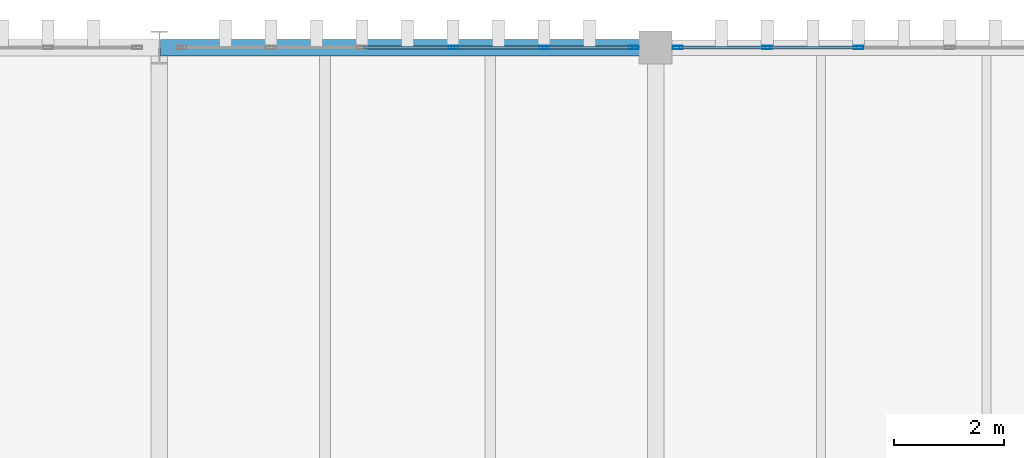
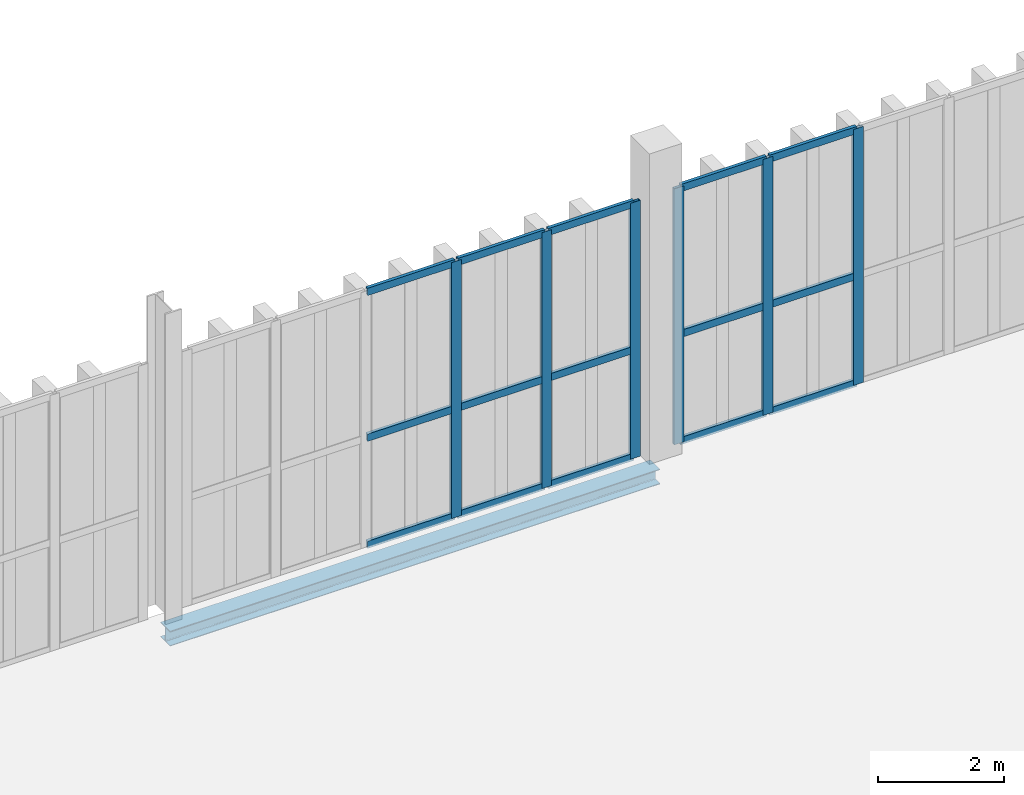
# One storey, part 147 of 211: 21 members, 1 beam, 2 elements without a shape of their own.
"""IFC4 building model written with IfcOpenShell, lengths in metres."""

from ifc_helpers import new_model, si_unit, direction, frame, origin, origin_2d, place, context, subcontext, project, spatial, hollow_rectangle, i_section, extrude, material, layer, layer_set, material_profile, profile_set, type_object, element, aggregate, save


model = new_model("IFC4")

# Units and contexts
model_context = context("Model", 3, precision=1e-05, world=origin(), true_north=direction((0.0, 1.0)))
body_context = subcontext(model_context, "Body", "Model", "MODEL_VIEW")
ifc_project = project(units=[si_unit("LENGTHUNIT", "METRE"), si_unit("AREAUNIT", "SQUARE_METRE"), si_unit("VOLUMEUNIT", "CUBIC_METRE"), si_unit("PLANEANGLEUNIT", "RADIAN"), si_unit("MASSUNIT", "GRAM", prefix="KILO")], contexts=[model_context])

# Site, building, storey
site_placement = place(None, origin())
site = spatial("IfcSite", under=ifc_project, at=site_placement, CompositionType="ELEMENT")
building_placement = place(site_placement, origin())
building = spatial("IfcBuilding", under=site, at=building_placement, Name="Barlavento Convention Centre", CompositionType="ELEMENT")
storey_placement = place(building_placement, frame((0.0, 0.0, 6.0)))
storey = spatial("IfcBuildingStorey", under=building, at=storey_placement, Name="L01", CompositionType="ELEMENT", Elevation=6.0)

# Curtain wall, members
ifc_material_1 = material(Name="Powder-coated aluminium and Low-E glass", Category="aluminium")
ifc_layer = layer(ifc_material_1, 0.179931640625)
ifc_layer_set = layer_set([ifc_layer], Name="ARC-CW-EXH-L01")
curtain_wall_type = type_object("IfcCurtainWallType", Name="ARC-CW-EXH-L01", PredefinedType="NOTDEFINED", material=ifc_layer_set)
curtain_wall_1_placement = place(storey_placement, origin())
curtain_wall_1 = element("IfcCurtainWall", 1, at=curtain_wall_1_placement, inside=storey, type_object=curtain_wall_type, Name="L01 unitised curtain wall CW04", PredefinedType="NOTDEFINED")
ifc_material_2 = material(Name="Powder-coated aluminium", Category="aluminium")
ifc_material_profile_1 = material_profile(ifc_material_2, hollow_rectangle(XDim=0.06005859375, YDim=0.179931640625, WallThickness=0.0048828125, at=origin_2d()), Name="AL-MULL 60x180x5")
ifc_profile_set_1 = profile_set([ifc_material_profile_1], Name="Powder-coated aluminium")
member_type_1 = type_object("IfcMemberType", Name="ARC-CWM-60X180", PredefinedType="MULLION", material=ifc_profile_set_1)
member_1_placement = place(storey_placement, frame((104.325927734375, 135.0, 0.0), z_axis=(0.0, 0.0, 1.0), x_axis=(0.0, 1.0, 0.0)))
member_1 = element("IfcMember", 2, at=member_1_placement, type_object=member_type_1, Name="CW04 mullion 4", PredefinedType="MULLION", context=body_context, shape_type="SweptSolid", body=[
    extrude(hollow_rectangle(XDim=0.06005859375, YDim=0.179931640625, WallThickness=0.0048828125, at=origin_2d()), origin(), (0.0, 0.0, 1.0), 4.949951171875),
])
member_2_placement = place(storey_placement, frame((105.97802734375, 135.0, 0.0), z_axis=(0.0, 0.0, 1.0), x_axis=(0.0, 1.0, 0.0)))
member_2 = element("IfcMember", 3, at=member_2_placement, type_object=member_type_1, Name="CW04 mullion 5", PredefinedType="MULLION", context=body_context, shape_type="SweptSolid", body=[
    extrude(hollow_rectangle(XDim=0.06005859375, YDim=0.179931640625, WallThickness=0.0048828125, at=origin_2d()), origin(), (0.0, 0.0, 1.0), 4.949951171875),
])
member_3_placement = place(storey_placement, frame((107.60009765625, 135.0, 0.0), z_axis=(0.0, 0.0, 1.0), x_axis=(0.0, 1.0, 0.0)))
member_3 = element("IfcMember", 4, at=member_3_placement, type_object=member_type_1, Name="CW04 mullion 6", PredefinedType="MULLION", context=body_context, shape_type="SweptSolid", body=[
    extrude(hollow_rectangle(XDim=0.06005859375, YDim=0.179931640625, WallThickness=0.0048828125, at=origin_2d()), origin(), (0.0, 0.0, 1.0), 4.949951171875),
])

curtain_wall_2_placement = place(storey_placement, origin())
curtain_wall_2 = element("IfcCurtainWall", 5, at=curtain_wall_2_placement, inside=storey, type_object=curtain_wall_type, Name="L01 unitised curtain wall CW04", PredefinedType="NOTDEFINED")
member_4_placement = place(storey_placement, frame((108.39990234375, 135.0, 0.0), z_axis=(0.0, 0.0, 1.0), x_axis=(0.0, 1.0, 0.0)))
member_4 = element("IfcMember", 6, at=member_4_placement, type_object=member_type_1, Name="CW04 mullion 1", PredefinedType="MULLION", context=body_context, shape_type="SweptSolid", body=[
    extrude(hollow_rectangle(XDim=0.06005859375, YDim=0.179931640625, WallThickness=0.0048828125, at=origin_2d()), origin(), (0.0, 0.0, 1.0), 4.949951171875),
])
member_5_placement = place(storey_placement, frame((110.02490234375, 135.0, 0.0), z_axis=(0.0, 0.0, 1.0), x_axis=(0.0, 1.0, 0.0)))
member_5 = element("IfcMember", 7, at=member_5_placement, type_object=member_type_1, Name="CW04 mullion 2", PredefinedType="MULLION", context=body_context, shape_type="SweptSolid", body=[
    extrude(hollow_rectangle(XDim=0.06005859375, YDim=0.179931640625, WallThickness=0.0048828125, at=origin_2d()), origin(), (0.0, 0.0, 1.0), 4.949951171875),
])
member_6_placement = place(storey_placement, frame((111.6796875, 135.0, 0.0), z_axis=(0.0, 0.0, 1.0), x_axis=(0.0, 1.0, 0.0)))
member_6 = element("IfcMember", 8, at=member_6_placement, type_object=member_type_1, Name="CW04 mullion 3", PredefinedType="MULLION", context=body_context, shape_type="SweptSolid", body=[
    extrude(hollow_rectangle(XDim=0.06005859375, YDim=0.179931640625, WallThickness=0.0048828125, at=origin_2d()), origin(), (0.0, 0.0, 1.0), 4.949951171875),
])

# Member
ifc_material_profile_2 = material_profile(ifc_material_2, hollow_rectangle(XDim=0.06005859375, YDim=0.139892578125, WallThickness=0.00390625, at=origin_2d()), Name="AL-TRAN 60x140x4")
ifc_profile_set_2 = profile_set([ifc_material_profile_2], Name="Powder-coated aluminium")
member_type_2 = type_object("IfcMemberType", Name="ARC-CWT-60X140", PredefinedType="USERDEFINED", material=ifc_profile_set_2)
member_7_placement = place(storey_placement, frame((102.7041015625, 135.0, 0.030029296875), z_axis=(1.0, 0.0, 0.0), x_axis=(0.0, 1.0, 0.0)))
member_7 = element("IfcMember", 9, at=member_7_placement, type_object=member_type_2, Name="CW04 transom 3.1", ObjectType="TRANSOM", PredefinedType="USERDEFINED", context=body_context, shape_type="SweptSolid", body=[
    extrude(hollow_rectangle(XDim=0.06005859375, YDim=0.139892578125, WallThickness=0.00390625, at=origin_2d()), origin(), (0.0, 0.0, 1.0), 1.591796875),
])

member_8_placement = place(storey_placement, frame((102.7041015625, 135.0, 2.10009765625), z_axis=(1.0, 0.0, 0.0), x_axis=(0.0, 1.0, 0.0)))
member_8 = element("IfcMember", 10, at=member_8_placement, type_object=member_type_2, Name="CW04 transom 3.2", ObjectType="TRANSOM", PredefinedType="USERDEFINED", context=body_context, shape_type="SweptSolid", body=[
    extrude(hollow_rectangle(XDim=0.06005859375, YDim=0.139892578125, WallThickness=0.00390625, at=origin_2d()), origin(), (0.0, 0.0, 1.0), 1.591796875),
])

member_9_placement = place(storey_placement, frame((102.7041015625, 135.0, 4.919921875), z_axis=(1.0, 0.0, 0.0), x_axis=(0.0, 1.0, 0.0)))
member_9 = element("IfcMember", 11, at=member_9_placement, type_object=member_type_2, Name="CW04 transom 3.3", ObjectType="TRANSOM", PredefinedType="USERDEFINED", context=body_context, shape_type="SweptSolid", body=[
    extrude(hollow_rectangle(XDim=0.06005859375, YDim=0.139892578125, WallThickness=0.00390625, at=origin_2d()), origin(), (0.0, 0.0, 1.0), 1.591796875),
])

member_10_placement = place(storey_placement, frame((104.35595703125, 135.0, 0.030029296875), z_axis=(1.0, 0.0, 0.0), x_axis=(0.0, 1.0, 0.0)))
member_10 = element("IfcMember", 12, at=member_10_placement, type_object=member_type_2, Name="CW04 transom 4.1", ObjectType="TRANSOM", PredefinedType="USERDEFINED", context=body_context, shape_type="SweptSolid", body=[
    extrude(hollow_rectangle(XDim=0.06005859375, YDim=0.139892578125, WallThickness=0.00390625, at=origin_2d()), origin(), (0.0, 0.0, 1.0), 1.592041015625),
])

member_11_placement = place(storey_placement, frame((104.35595703125, 135.0, 2.10009765625), z_axis=(1.0, 0.0, 0.0), x_axis=(0.0, 1.0, 0.0)))
member_11 = element("IfcMember", 13, at=member_11_placement, type_object=member_type_2, Name="CW04 transom 4.2", ObjectType="TRANSOM", PredefinedType="USERDEFINED", context=body_context, shape_type="SweptSolid", body=[
    extrude(hollow_rectangle(XDim=0.06005859375, YDim=0.139892578125, WallThickness=0.00390625, at=origin_2d()), origin(), (0.0, 0.0, 1.0), 1.592041015625),
])

member_12_placement = place(storey_placement, frame((104.35595703125, 135.0, 4.919921875), z_axis=(1.0, 0.0, 0.0), x_axis=(0.0, 1.0, 0.0)))
member_12 = element("IfcMember", 14, at=member_12_placement, type_object=member_type_2, Name="CW04 transom 4.3", ObjectType="TRANSOM", PredefinedType="USERDEFINED", context=body_context, shape_type="SweptSolid", body=[
    extrude(hollow_rectangle(XDim=0.06005859375, YDim=0.139892578125, WallThickness=0.00390625, at=origin_2d()), origin(), (0.0, 0.0, 1.0), 1.592041015625),
])

member_13_placement = place(storey_placement, frame((106.008056640625, 135.0, 0.030029296875), z_axis=(1.0, 0.0, 0.0), x_axis=(0.0, 1.0, 0.0)))
member_13 = element("IfcMember", 15, at=member_13_placement, type_object=member_type_2, Name="CW04 transom 5.1", ObjectType="TRANSOM", PredefinedType="USERDEFINED", context=body_context, shape_type="SweptSolid", body=[
    extrude(hollow_rectangle(XDim=0.06005859375, YDim=0.139892578125, WallThickness=0.00390625, at=origin_2d()), origin(), (0.0, 0.0, 1.0), 1.56201171875),
])

member_14_placement = place(storey_placement, frame((106.008056640625, 135.0, 2.10009765625), z_axis=(1.0, 0.0, 0.0), x_axis=(0.0, 1.0, 0.0)))
member_14 = element("IfcMember", 16, at=member_14_placement, type_object=member_type_2, Name="CW04 transom 5.2", ObjectType="TRANSOM", PredefinedType="USERDEFINED", context=body_context, shape_type="SweptSolid", body=[
    extrude(hollow_rectangle(XDim=0.06005859375, YDim=0.139892578125, WallThickness=0.00390625, at=origin_2d()), origin(), (0.0, 0.0, 1.0), 1.56201171875),
])

member_15_placement = place(storey_placement, frame((106.008056640625, 135.0, 4.919921875), z_axis=(1.0, 0.0, 0.0), x_axis=(0.0, 1.0, 0.0)))
member_15 = element("IfcMember", 17, at=member_15_placement, type_object=member_type_2, Name="CW04 transom 5.3", ObjectType="TRANSOM", PredefinedType="USERDEFINED", context=body_context, shape_type="SweptSolid", body=[
    extrude(hollow_rectangle(XDim=0.06005859375, YDim=0.139892578125, WallThickness=0.00390625, at=origin_2d()), origin(), (0.0, 0.0, 1.0), 1.56201171875),
])

aggregate(curtain_wall_1, [member_1, member_2, member_3, member_7, member_8, member_9, member_10, member_11, member_12, member_13, member_14, member_15])

member_16_placement = place(storey_placement, frame((108.429931640625, 135.0, 0.030029296875), z_axis=(1.0, 0.0, 0.0), x_axis=(0.0, 1.0, 0.0)))
member_16 = element("IfcMember", 18, at=member_16_placement, type_object=member_type_2, Name="CW04 transom 1.1", ObjectType="TRANSOM", PredefinedType="USERDEFINED", context=body_context, shape_type="SweptSolid", body=[
    extrude(hollow_rectangle(XDim=0.06005859375, YDim=0.139892578125, WallThickness=0.00390625, at=origin_2d()), origin(), (0.0, 0.0, 1.0), 1.56494140625),
])

member_17_placement = place(storey_placement, frame((108.429931640625, 135.0, 2.10009765625), z_axis=(1.0, 0.0, 0.0), x_axis=(0.0, 1.0, 0.0)))
member_17 = element("IfcMember", 19, at=member_17_placement, type_object=member_type_2, Name="CW04 transom 1.2", ObjectType="TRANSOM", PredefinedType="USERDEFINED", context=body_context, shape_type="SweptSolid", body=[
    extrude(hollow_rectangle(XDim=0.06005859375, YDim=0.139892578125, WallThickness=0.00390625, at=origin_2d()), origin(), (0.0, 0.0, 1.0), 1.56494140625),
])

member_18_placement = place(storey_placement, frame((108.429931640625, 135.0, 4.919921875), z_axis=(1.0, 0.0, 0.0), x_axis=(0.0, 1.0, 0.0)))
member_18 = element("IfcMember", 20, at=member_18_placement, type_object=member_type_2, Name="CW04 transom 1.3", ObjectType="TRANSOM", PredefinedType="USERDEFINED", context=body_context, shape_type="SweptSolid", body=[
    extrude(hollow_rectangle(XDim=0.06005859375, YDim=0.139892578125, WallThickness=0.00390625, at=origin_2d()), origin(), (0.0, 0.0, 1.0), 1.56494140625),
])

member_19_placement = place(storey_placement, frame((110.0546875, 135.0, 0.030029296875), z_axis=(1.0, 0.0, 0.0), x_axis=(0.0, 1.0, 0.0)))
member_19 = element("IfcMember", 21, at=member_19_placement, type_object=member_type_2, Name="CW04 transom 2.1", ObjectType="TRANSOM", PredefinedType="USERDEFINED", context=body_context, shape_type="SweptSolid", body=[
    extrude(hollow_rectangle(XDim=0.06005859375, YDim=0.139892578125, WallThickness=0.00390625, at=origin_2d()), origin(), (0.0, 0.0, 1.0), 1.594970703125),
])

member_20_placement = place(storey_placement, frame((110.0546875, 135.0, 2.10009765625), z_axis=(1.0, 0.0, 0.0), x_axis=(0.0, 1.0, 0.0)))
member_20 = element("IfcMember", 22, at=member_20_placement, type_object=member_type_2, Name="CW04 transom 2.2", ObjectType="TRANSOM", PredefinedType="USERDEFINED", context=body_context, shape_type="SweptSolid", body=[
    extrude(hollow_rectangle(XDim=0.06005859375, YDim=0.139892578125, WallThickness=0.00390625, at=origin_2d()), origin(), (0.0, 0.0, 1.0), 1.594970703125),
])

member_21_placement = place(storey_placement, frame((110.0546875, 135.0, 4.919921875), z_axis=(1.0, 0.0, 0.0), x_axis=(0.0, 1.0, 0.0)))
member_21 = element("IfcMember", 23, at=member_21_placement, type_object=member_type_2, Name="CW04 transom 2.3", ObjectType="TRANSOM", PredefinedType="USERDEFINED", context=body_context, shape_type="SweptSolid", body=[
    extrude(hollow_rectangle(XDim=0.06005859375, YDim=0.139892578125, WallThickness=0.00390625, at=origin_2d()), origin(), (0.0, 0.0, 1.0), 1.594970703125),
])

aggregate(curtain_wall_2, [member_4, member_5, member_6, member_16, member_17, member_18, member_19, member_20, member_21])

# Beam
ifc_material_3 = material(Name="Steel S355", Category="steel")
ifc_material_profile_3 = material_profile(ifc_material_3, i_section(OverallWidth=0.300048828125, OverallDepth=0.2900390625, WebThickness=0.008544921875, FlangeThickness=0.013916015625, FilletRadius=0.027099609375, at=origin_2d()), Name="HEA 300")
ifc_profile_set_3 = profile_set([ifc_material_profile_3], Name="Steel S355")
beam_type = type_object("IfcBeamType", Name="STR-BM-SPN-HEA300", PredefinedType="SPANDREL", material=ifc_profile_set_3)
beam_placement = place(storey_placement, frame((99.02001953125, 135.0, -0.425048828125), z_axis=(1.0, 0.0, 0.0), x_axis=(0.0, 1.0, 0.0)))
element("IfcBeam", 24, at=beam_placement, inside=storey, type_object=beam_type, Name="L01 primary girder SP02", PredefinedType="SPANDREL", context=body_context, shape_type="SweptSolid", body=[
    extrude(i_section(OverallWidth=0.300048828125, OverallDepth=0.2900390625, WebThickness=0.008544921875, FlangeThickness=0.013916015625, FilletRadius=0.027099609375, at=origin_2d()), origin(), (0.0, 0.0, 1.0), 8.9599609375),
])

save(model, "model.ifc")
